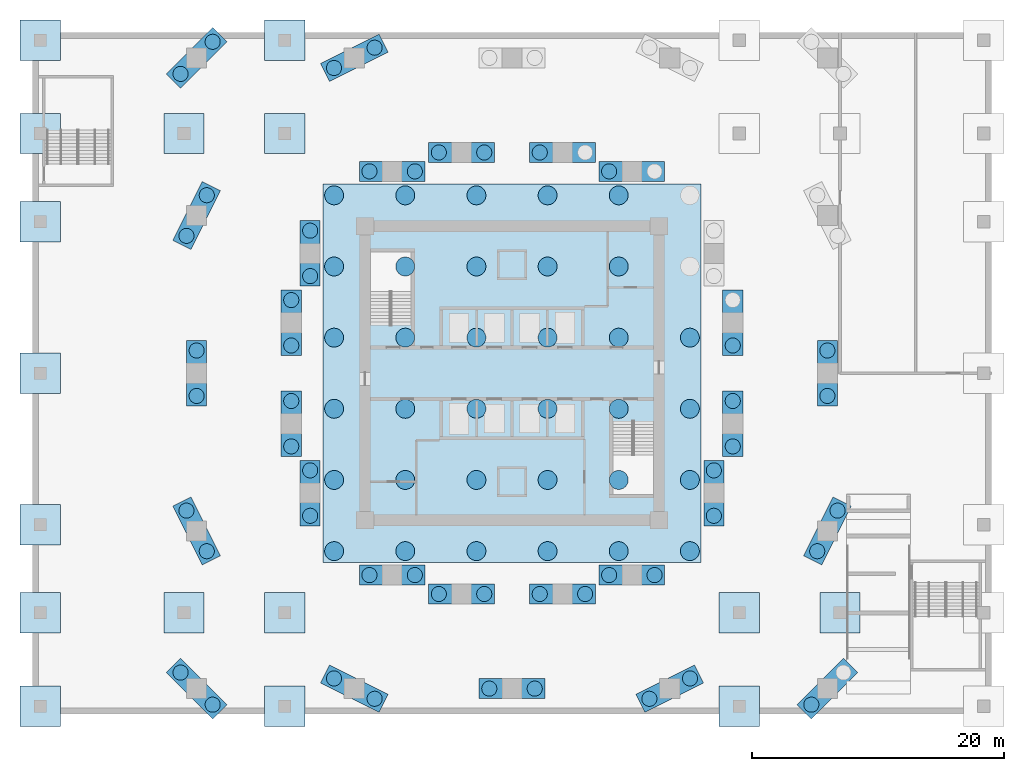
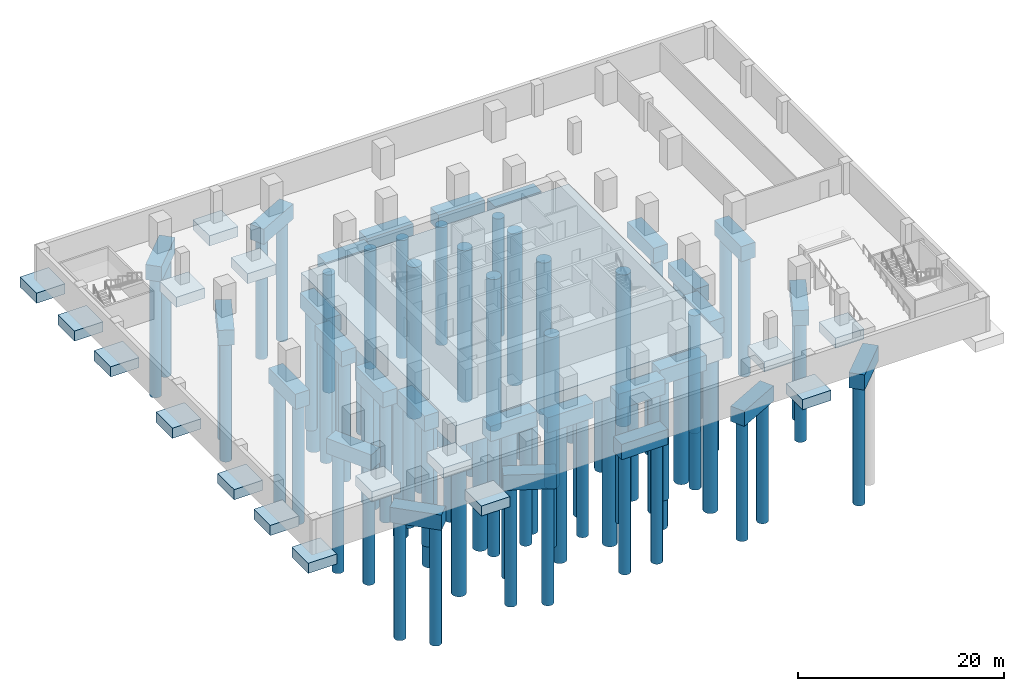
# One storey, part 1 of 11: 84 piles, 44 footings.
"""IFC4 building model written with IfcOpenShell, lengths in metres."""

from ifc_helpers import new_model, si_unit, direction, frame, origin, origin_2d, place, context, subcontext, project, spatial, polyline, circle, outline, extrude, material, layer, layer_set, type_object, element, save


model = new_model("IFC4")

# Units and contexts
model_context = context("Model", 3, precision=1e-05, world=origin(), true_north=direction((0.0, 1.0)))
body_context = subcontext(model_context, "Body", "Model", "MODEL_VIEW")
ifc_project = project(units=[si_unit("LENGTHUNIT", "METRE"), si_unit("AREAUNIT", "SQUARE_METRE"), si_unit("VOLUMEUNIT", "CUBIC_METRE"), si_unit("PLANEANGLEUNIT", "RADIAN"), si_unit("MASSUNIT", "GRAM", prefix="KILO")], contexts=[model_context])

# Site, building, storey
site_placement = place(None, origin())
site = spatial("IfcSite", under=ifc_project, at=site_placement, CompositionType="ELEMENT")
building_placement = place(site_placement, origin())
building = spatial("IfcBuilding", under=site, at=building_placement, Name="Torsade Residences", CompositionType="ELEMENT")
storey_placement = place(building_placement, frame((0.0, 0.0, -7.39990234375)))
storey = spatial("IfcBuildingStorey", under=building, at=storey_placement, Name="B2", CompositionType="ELEMENT", Elevation=-7.39990234375)

# Piles
ifc_material_1 = material(Name="Concrete 50 MPa", Category="concrete")
pile_type_1 = type_object("IfcPileType", Name="BORED PILE 1200", PredefinedType="BORED", material=ifc_material_1)
for number, where, z_axis, x_axis, name in (
    (1, (13.727294921875, 6.272705078125, -2.2001953125), (0.0, 0.0, -1.0), (1.0, 0.0, 0.0), "Cap pile BP2-01-1"),
    (2, (16.272705078125, 3.727294921875, -2.2001953125), (0.0, 0.0, -1.0), (1.0, 0.0, 0.0), "Cap pile BP2-01-2"),
    (3, (25.89013671875, 5.804931640625, -2.2001953125), (0.0, 0.0, -1.0), (1.0, 0.0, 0.0), "Cap pile BP2-02-1"),
    (4, (29.10986328125, 4.195068359375, -2.2001953125), (0.0, 0.0, -1.0), (1.0, 0.0, 0.0), "Cap pile BP2-02-2"),
    (5, (38.199951171875, 5.0, -2.2001953125), (0.0, 0.0, -1.0), (1.0, 0.0, 0.0), "Cap pile BP2-03-1"),
    (6, (41.800048828125, 5.0, -2.2001953125), (0.0, 0.0, -1.0), (1.0, 0.0, 0.0), "Cap pile BP2-03-2"),
    (7, (50.89013671875, 4.195068359375, -2.2001953125), (0.0, 0.0, -1.0), (1.0, 0.0, 0.0), "Cap pile BP2-04-1"),
    (8, (54.10986328125, 5.804931640625, -2.2001953125), (0.0, 0.0, -1.0), (1.0, 0.0, 0.0), "Cap pile BP2-04-2"),
    (9, (63.727294921875, 3.727294921875, -2.2001953125), (0.0, 0.0, -1.0), (1.0, 0.0, 0.0), "Cap pile BP2-05-1"),
    (10, (64.195068359375, 15.89013671875, -2.2001953125), (0.0, 0.0, -1.0), (1.0, 0.0, 0.0), "Cap pile BP2-06-1"),
    (11, (65.804931640625, 19.10986328125, -2.2001953125), (0.0, 0.0, -1.0), (1.0, 0.0, 0.0), "Cap pile BP2-06-2"),
    (12, (65.0, 28.199951171875, -2.2001953125), (0.0, 0.0, -1.0), (1.0, 0.0, 0.0), "Cap pile BP2-07-1"),
    (13, (65.0, 31.800048828125, -2.2001953125), (0.0, 0.0, -1.0), (1.0, 0.0, 0.0), "Cap pile BP2-07-2"),
    (14, (29.10986328125, 55.804931640625, -2.2001953125), (0.0, 0.0, -1.0), (1.0, 0.0, 0.0), "Cap pile BP2-12-1"),
    (15, (25.89013671875, 54.195068359375, -2.2001953125), (0.0, 0.0, -1.0), (1.0, 0.0, 0.0), "Cap pile BP2-12-2"),
    (16, (16.272705078125, 56.272705078125, -2.2001953125), (0.0, 0.0, -1.0), (1.0, 0.0, 0.0), "Cap pile BP2-13-1"),
    (17, (13.727294921875, 53.727294921875, -2.2001953125), (0.0, 0.0, -1.0), (1.0, 0.0, 0.0), "Cap pile BP2-13-2"),
    (18, (15.804931640625, 44.10986328125, -2.2001953125), (0.0, 0.0, -1.0), (1.0, 0.0, 0.0), "Cap pile BP2-14-1"),
    (19, (14.195068359375, 40.89013671875, -2.2001953125), (0.0, 0.0, -1.0), (1.0, 0.0, 0.0), "Cap pile BP2-14-2"),
    (20, (15.0, 31.800048828125, -2.2001953125), (0.0, 0.0, -1.0), (1.0, 0.0, 0.0), "Cap pile BP2-15-1"),
    (21, (15.0, 28.199951171875, -2.2001953125), (0.0, 0.0, -1.0), (1.0, 0.0, 0.0), "Cap pile BP2-15-2"),
    (22, (14.195068359375, 19.10986328125, -2.2001953125), (0.0, 0.0, -1.0), (1.0, 0.0, 0.0), "Cap pile BP2-16-1"),
    (23, (15.804931640625, 15.89013671875, -2.2001953125), (0.0, 0.0, -1.0), (1.0, 0.0, 0.0), "Cap pile BP2-16-2"),
    (24, (57.5, 24.199951171875, -2.2001953125), (0.0, 0.0, -1.0), (1.0, 0.0, 0.0), "Cap pile BP2-IR01-1"),
    (25, (57.5, 27.800048828125, -2.2001953125), (0.0, 0.0, -1.0), (1.0, 0.0, 0.0), "Cap pile BP2-IR01-2"),
    (26, (57.5, 32.199951171875, -2.2001953125), (0.0, 0.0, -1.0), (1.0, 0.0, 0.0), "Cap pile BP2-IR02-1"),
    (27, (47.699951171875, 46.0, -2.2001953125), (0.0, 0.0, -1.0), (1.0, 0.0, 0.0), "Cap pile BP2-IR04-1"),
    (28, (42.199951171875, 47.5, -2.2001953125), (0.0, 0.0, -1.0), (1.0, 0.0, 0.0), "Cap pile BP2-IR05-1"),
    (29, (34.199951171875, 47.5, -2.2001953125), (0.0, 0.0, -1.0), (1.0, 0.0, 0.0), "Cap pile BP2-IR06-1"),
    (30, (37.800048828125, 47.5, -2.2001953125), (0.0, 0.0, -1.0), (1.0, 0.0, 0.0), "Cap pile BP2-IR06-2"),
    (31, (28.699951171875, 46.0, -2.2001953125), (0.0, 0.0, -1.0), (1.0, 0.0, 0.0), "Cap pile BP2-IR07-1"),
    (32, (32.300048828125, 46.0, -2.2001953125), (0.0, 0.0, -1.0), (1.0, 0.0, 0.0), "Cap pile BP2-IR07-2"),
    (33, (24.0, 37.699951171875, -2.2001953125), (0.0, 0.0, -1.0), (1.0, 0.0, 0.0), "Cap pile BP2-IR08-1"),
    (34, (24.0, 41.300048828125, -2.2001953125), (0.0, 0.0, -1.0), (1.0, 0.0, 0.0), "Cap pile BP2-IR08-2"),
    (35, (22.5, 32.199951171875, -2.2001953125), (0.0, 0.0, -1.0), (1.0, 0.0, 0.0), "Cap pile BP2-IR09-1"),
    (36, (22.5, 35.800048828125, -2.2001953125), (0.0, 0.0, -1.0), (1.0, 0.0, 0.0), "Cap pile BP2-IR09-2"),
    (37, (22.5, 24.199951171875, -2.2001953125), (0.0, 0.0, -1.0), (1.0, 0.0, 0.0), "Cap pile BP2-IR10-1"),
    (38, (22.5, 27.800048828125, -2.2001953125), (0.0, 0.0, -1.0), (1.0, 0.0, 0.0), "Cap pile BP2-IR10-2"),
    (39, (24.0, 18.699951171875, -2.2001953125), (0.0, 0.0, -1.0), (1.0, 0.0, 0.0), "Cap pile BP2-IR11-1"),
    (40, (24.0, 22.300048828125, -2.2001953125), (0.0, 0.0, -1.0), (1.0, 0.0, 0.0), "Cap pile BP2-IR11-2"),
    (41, (28.699951171875, 14.0, -2.2001953125), (0.0, 0.0, -1.0), (1.0, 0.0, 0.0), "Cap pile BP2-IR12-1"),
    (42, (32.300048828125, 14.0, -2.2001953125), (0.0, 0.0, -1.0), (1.0, 0.0, 0.0), "Cap pile BP2-IR12-2"),
    (43, (34.199951171875, 12.5, -2.2001953125), (0.0, 0.0, -1.0), (1.0, 0.0, 0.0), "Cap pile BP2-IR13-1"),
    (44, (37.800048828125, 12.5, -2.2001953125), (0.0, 0.0, -1.0), (1.0, 0.0, 0.0), "Cap pile BP2-IR13-2"),
    (45, (42.199951171875, 12.5, -2.2001953125), (0.0, 0.0, -1.0), (1.0, 0.0, 0.0), "Cap pile BP2-IR14-1"),
    (46, (45.800048828125, 12.5, -2.2001953125), (0.0, 0.0, -1.0), (1.0, 0.0, 0.0), "Cap pile BP2-IR14-2"),
    (47, (47.699951171875, 14.0, -2.2001953125), (0.0, 0.0, -1.0), (1.0, 0.0, 0.0), "Cap pile BP2-IR15-1"),
    (48, (51.300048828125, 14.0, -2.2001953125), (0.0, 0.0, -1.0), (1.0, 0.0, 0.0), "Cap pile BP2-IR15-2"),
    (49, (56.0, 18.699951171875, -2.2001953125), (0.0, 0.0, -1.0), (1.0, 0.0, 0.0), "Cap pile BP2-IR16-1"),
    (50, (56.0, 22.300048828125, -2.2001953125), (0.0, 0.0, -1.0), (1.0, 0.0, 0.0), "Cap pile BP2-IR16-2"),
):
    element("IfcPile", number, at=place(storey_placement, frame(where, z_axis=z_axis, x_axis=x_axis)), inside=storey, type_object=pile_type_1, Name=name, PredefinedType="BORED", context=body_context, shape_type="SweptSolid", body=[
        extrude(circle(Radius=0.60009765625, at=origin_2d()), origin(), (0.0, 0.0, 1.0), 14.0),
    ])
ifc_material_2 = material(Name="Concrete 50 MPa", Category="concrete")
pile_type_2 = type_object("IfcPileType", Name="BORED PILE 1500", PredefinedType="BORED", material=ifc_material_2)
for number, where, z_axis, x_axis, name in (
    (51, (25.89990234375, 15.89990234375, -3.0), (0.0, 0.0, -1.0), (1.0, 0.0, 0.0), "Raft pile BP1-01"),
    (52, (25.89990234375, 21.5400390625, -3.0), (0.0, 0.0, -1.0), (1.0, 0.0, 0.0), "Raft pile BP1-02"),
    (53, (25.89990234375, 27.179931640625, -3.0), (0.0, 0.0, -1.0), (1.0, 0.0, 0.0), "Raft pile BP1-03"),
    (54, (25.89990234375, 32.820068359375, -3.0), (0.0, 0.0, -1.0), (1.0, 0.0, 0.0), "Raft pile BP1-04"),
    (55, (25.89990234375, 38.4599609375, -3.0), (0.0, 0.0, -1.0), (1.0, 0.0, 0.0), "Raft pile BP1-05"),
    (56, (25.89990234375, 44.10009765625, -3.0), (0.0, 0.0, -1.0), (1.0, 0.0, 0.0), "Raft pile BP1-06"),
    (57, (31.5400390625, 15.89990234375, -3.0), (0.0, 0.0, -1.0), (1.0, 0.0, 0.0), "Raft pile BP1-07"),
    (58, (31.5400390625, 21.5400390625, -3.0), (0.0, 0.0, -1.0), (1.0, 0.0, 0.0), "Raft pile BP1-08"),
    (59, (31.5400390625, 27.179931640625, -3.0), (0.0, 0.0, -1.0), (1.0, 0.0, 0.0), "Raft pile BP1-09"),
    (60, (31.5400390625, 32.820068359375, -3.0), (0.0, 0.0, -1.0), (1.0, 0.0, 0.0), "Raft pile BP1-10"),
    (61, (31.5400390625, 38.4599609375, -3.0), (0.0, 0.0, -1.0), (1.0, 0.0, 0.0), "Raft pile BP1-11"),
    (62, (31.5400390625, 44.10009765625, -3.0), (0.0, 0.0, -1.0), (1.0, 0.0, 0.0), "Raft pile BP1-12"),
    (63, (37.179931640625, 15.89990234375, -3.0), (0.0, 0.0, -1.0), (1.0, 0.0, 0.0), "Raft pile BP1-13"),
    (64, (37.179931640625, 21.5400390625, -3.0), (0.0, 0.0, -1.0), (1.0, 0.0, 0.0), "Raft pile BP1-14"),
    (65, (37.179931640625, 27.179931640625, -3.0), (0.0, 0.0, -1.0), (1.0, 0.0, 0.0), "Raft pile BP1-15"),
    (66, (37.179931640625, 32.820068359375, -3.0), (0.0, 0.0, -1.0), (1.0, 0.0, 0.0), "Raft pile BP1-16"),
    (67, (37.179931640625, 38.4599609375, -3.0), (0.0, 0.0, -1.0), (1.0, 0.0, 0.0), "Raft pile BP1-17"),
    (68, (37.179931640625, 44.10009765625, -3.0), (0.0, 0.0, -1.0), (1.0, 0.0, 0.0), "Raft pile BP1-18"),
    (69, (42.820068359375, 15.89990234375, -3.0), (0.0, 0.0, -1.0), (1.0, 0.0, 0.0), "Raft pile BP1-19"),
    (70, (42.820068359375, 21.5400390625, -3.0), (0.0, 0.0, -1.0), (1.0, 0.0, 0.0), "Raft pile BP1-20"),
    (71, (42.820068359375, 27.179931640625, -3.0), (0.0, 0.0, -1.0), (1.0, 0.0, 0.0), "Raft pile BP1-21"),
    (72, (42.820068359375, 32.820068359375, -3.0), (0.0, 0.0, -1.0), (1.0, 0.0, 0.0), "Raft pile BP1-22"),
    (73, (42.820068359375, 38.4599609375, -3.0), (0.0, 0.0, -1.0), (1.0, 0.0, 0.0), "Raft pile BP1-23"),
    (74, (42.820068359375, 44.10009765625, -3.0), (0.0, 0.0, -1.0), (1.0, 0.0, 0.0), "Raft pile BP1-24"),
    (75, (48.4599609375, 15.89990234375, -3.0), (0.0, 0.0, -1.0), (1.0, 0.0, 0.0), "Raft pile BP1-25"),
    (76, (48.4599609375, 21.5400390625, -3.0), (0.0, 0.0, -1.0), (1.0, 0.0, 0.0), "Raft pile BP1-26"),
    (77, (48.4599609375, 27.179931640625, -3.0), (0.0, 0.0, -1.0), (1.0, 0.0, 0.0), "Raft pile BP1-27"),
    (78, (48.4599609375, 32.820068359375, -3.0), (0.0, 0.0, -1.0), (1.0, 0.0, 0.0), "Raft pile BP1-28"),
    (79, (48.4599609375, 38.4599609375, -3.0), (0.0, 0.0, -1.0), (1.0, 0.0, 0.0), "Raft pile BP1-29"),
    (80, (48.4599609375, 44.10009765625, -3.0), (0.0, 0.0, -1.0), (1.0, 0.0, 0.0), "Raft pile BP1-30"),
    (81, (54.10009765625, 15.89990234375, -3.0), (0.0, 0.0, -1.0), (1.0, 0.0, 0.0), "Raft pile BP1-31"),
    (82, (54.10009765625, 21.5400390625, -3.0), (0.0, 0.0, -1.0), (1.0, 0.0, 0.0), "Raft pile BP1-32"),
    (83, (54.10009765625, 27.179931640625, -3.0), (0.0, 0.0, -1.0), (1.0, 0.0, 0.0), "Raft pile BP1-33"),
    (84, (54.10009765625, 32.820068359375, -3.0), (0.0, 0.0, -1.0), (1.0, 0.0, 0.0), "Raft pile BP1-34"),
):
    element("IfcPile", number, at=place(storey_placement, frame(where, z_axis=z_axis, x_axis=x_axis)), inside=storey, type_object=pile_type_2, Name=name, PredefinedType="BORED", context=body_context, shape_type="SweptSolid", body=[
        extrude(circle(Radius=0.75, at=origin_2d()), origin(), (0.0, 0.0, 1.0), 18.0),
    ])

# Footings
ifc_material_3 = material(Name="Concrete 50 MPa", Category="concrete")
ifc_layer_1 = layer(ifc_material_3, 1.800048828125)
ifc_layer_set_1 = layer_set([ifc_layer_1], Name="Concrete 50 MPa")
footing_type_1 = type_object("IfcFootingType", Name="COLUMN PILE CAP 1800", PredefinedType="PILE_CAP", material=ifc_layer_set_1)
footing_1_placement = place(storey_placement, frame((0.0, 0.0, -2.2001953125)))
element("IfcFooting", 85, at=footing_1_placement, inside=storey, type_object=footing_type_1, Name="Column pile cap PC2-01", PredefinedType="PILE_CAP", context=body_context, shape_type="SweptSolid", body=[
    extrude(outline(polyline([(12.595947265625, 6.272705078125), (16.272705078125, 2.595947265625), (17.404052734375, 3.727294921875), (13.727294921875, 7.404052734375), (12.595947265625, 6.272705078125)])), origin(), (0.0, 0.0, 1.0), 1.800048828125),
])
footing_2_placement = place(storey_placement, frame((0.0, 0.0, -2.2001953125)))
element("IfcFooting", 86, at=footing_2_placement, inside=storey, type_object=footing_type_1, Name="Column pile cap PC2-02", PredefinedType="PILE_CAP", context=body_context, shape_type="SweptSolid", body=[
    extrude(outline(polyline([(24.816650390625, 5.447265625), (29.4677734375, 3.12158203125), (30.183349609375, 4.552734375), (25.5322265625, 6.87841796875), (24.816650390625, 5.447265625)])), origin(), (0.0, 0.0, 1.0), 1.800048828125),
])
footing_3_placement = place(storey_placement, frame((0.0, 0.0, -2.2001953125)))
element("IfcFooting", 87, at=footing_3_placement, inside=storey, type_object=footing_type_1, Name="Column pile cap PC2-03", PredefinedType="PILE_CAP", context=body_context, shape_type="SweptSolid", body=[
    extrude(outline(polyline([(37.39990234375, 4.199951171875), (42.60009765625, 4.199951171875), (42.60009765625, 5.800048828125), (37.39990234375, 5.800048828125), (37.39990234375, 4.199951171875)])), origin(), (0.0, 0.0, 1.0), 1.800048828125),
])
footing_4_placement = place(storey_placement, frame((0.0, 0.0, -2.2001953125)))
element("IfcFooting", 88, at=footing_4_placement, inside=storey, type_object=footing_type_1, Name="Column pile cap PC2-04", PredefinedType="PILE_CAP", context=body_context, shape_type="SweptSolid", body=[
    extrude(outline(polyline([(50.5322265625, 3.12158203125), (55.183349609375, 5.447265625), (54.4677734375, 6.87841796875), (49.816650390625, 4.552734375), (50.5322265625, 3.12158203125)])), origin(), (0.0, 0.0, 1.0), 1.800048828125),
])
footing_5_placement = place(storey_placement, frame((0.0, 0.0, -2.2001953125)))
element("IfcFooting", 89, at=footing_5_placement, inside=storey, type_object=footing_type_1, Name="Column pile cap PC2-05", PredefinedType="PILE_CAP", context=body_context, shape_type="SweptSolid", body=[
    extrude(outline(polyline([(63.727294921875, 2.595947265625), (67.404052734375, 6.272705078125), (66.272705078125, 7.404052734375), (62.595947265625, 3.727294921875), (63.727294921875, 2.595947265625)])), origin(), (0.0, 0.0, 1.0), 1.800048828125),
])
footing_6_placement = place(storey_placement, frame((0.0, 0.0, -2.2001953125)))
element("IfcFooting", 90, at=footing_6_placement, inside=storey, type_object=footing_type_1, Name="Column pile cap PC2-06", PredefinedType="PILE_CAP", context=body_context, shape_type="SweptSolid", body=[
    extrude(outline(polyline([(64.552734375, 14.816650390625), (66.87841796875, 19.4677734375), (65.447265625, 20.183349609375), (63.12158203125, 15.5322265625), (64.552734375, 14.816650390625)])), origin(), (0.0, 0.0, 1.0), 1.800048828125),
])
footing_7_placement = place(storey_placement, frame((0.0, 0.0, -2.2001953125)))
element("IfcFooting", 91, at=footing_7_placement, inside=storey, type_object=footing_type_1, Name="Column pile cap PC2-07", PredefinedType="PILE_CAP", context=body_context, shape_type="SweptSolid", body=[
    extrude(outline(polyline([(65.800048828125, 27.39990234375), (65.800048828125, 32.60009765625), (64.199951171875, 32.60009765625), (64.199951171875, 27.39990234375), (65.800048828125, 27.39990234375)])), origin(), (0.0, 0.0, 1.0), 1.800048828125),
])
footing_8_placement = place(storey_placement, frame((0.0, 0.0, -2.2001953125)))
element("IfcFooting", 92, at=footing_8_placement, inside=storey, type_object=footing_type_1, Name="Column pile cap PC2-12", PredefinedType="PILE_CAP", context=body_context, shape_type="SweptSolid", body=[
    extrude(outline(polyline([(29.4677734375, 56.87841796875), (24.816650390625, 54.552734375), (25.5322265625, 53.12158203125), (30.183349609375, 55.447265625), (29.4677734375, 56.87841796875)])), origin(), (0.0, 0.0, 1.0), 1.800048828125),
])
footing_9_placement = place(storey_placement, frame((0.0, 0.0, -2.2001953125)))
element("IfcFooting", 93, at=footing_9_placement, inside=storey, type_object=footing_type_1, Name="Column pile cap PC2-13", PredefinedType="PILE_CAP", context=body_context, shape_type="SweptSolid", body=[
    extrude(outline(polyline([(16.272705078125, 57.404052734375), (12.595947265625, 53.727294921875), (13.727294921875, 52.595947265625), (17.404052734375, 56.272705078125), (16.272705078125, 57.404052734375)])), origin(), (0.0, 0.0, 1.0), 1.800048828125),
])
footing_10_placement = place(storey_placement, frame((0.0, 0.0, -2.2001953125)))
element("IfcFooting", 94, at=footing_10_placement, inside=storey, type_object=footing_type_1, Name="Column pile cap PC2-14", PredefinedType="PILE_CAP", context=body_context, shape_type="SweptSolid", body=[
    extrude(outline(polyline([(15.447265625, 45.183349609375), (13.12158203125, 40.5322265625), (14.552734375, 39.816650390625), (16.87841796875, 44.4677734375), (15.447265625, 45.183349609375)])), origin(), (0.0, 0.0, 1.0), 1.800048828125),
])
footing_11_placement = place(storey_placement, frame((0.0, 0.0, -2.2001953125)))
element("IfcFooting", 95, at=footing_11_placement, inside=storey, type_object=footing_type_1, Name="Column pile cap PC2-15", PredefinedType="PILE_CAP", context=body_context, shape_type="SweptSolid", body=[
    extrude(outline(polyline([(14.199951171875, 32.60009765625), (14.199951171875, 27.39990234375), (15.800048828125, 27.39990234375), (15.800048828125, 32.60009765625), (14.199951171875, 32.60009765625)])), origin(), (0.0, 0.0, 1.0), 1.800048828125),
])
footing_12_placement = place(storey_placement, frame((0.0, 0.0, -2.2001953125)))
element("IfcFooting", 96, at=footing_12_placement, inside=storey, type_object=footing_type_1, Name="Column pile cap PC2-16", PredefinedType="PILE_CAP", context=body_context, shape_type="SweptSolid", body=[
    extrude(outline(polyline([(13.12158203125, 19.4677734375), (15.447265625, 14.816650390625), (16.87841796875, 15.5322265625), (14.552734375, 20.183349609375), (13.12158203125, 19.4677734375)])), origin(), (0.0, 0.0, 1.0), 1.800048828125),
])
footing_13_placement = place(storey_placement, frame((0.0, 0.0, -2.2001953125)))
element("IfcFooting", 97, at=footing_13_placement, inside=storey, type_object=footing_type_1, Name="Inner ring column pile cap PC2-IR01", PredefinedType="PILE_CAP", context=body_context, shape_type="SweptSolid", body=[
    extrude(outline(polyline([(56.699951171875, 23.39990234375), (58.300048828125, 23.39990234375), (58.300048828125, 28.60009765625), (56.699951171875, 28.60009765625), (56.699951171875, 23.39990234375)])), origin(), (0.0, 0.0, 1.0), 1.800048828125),
])
footing_14_placement = place(storey_placement, frame((0.0, 0.0, -2.2001953125)))
element("IfcFooting", 98, at=footing_14_placement, inside=storey, type_object=footing_type_1, Name="Inner ring column pile cap PC2-IR02", PredefinedType="PILE_CAP", context=body_context, shape_type="SweptSolid", body=[
    extrude(outline(polyline([(56.699951171875, 31.39990234375), (58.300048828125, 31.39990234375), (58.300048828125, 36.60009765625), (56.699951171875, 36.60009765625), (56.699951171875, 31.39990234375)])), origin(), (0.0, 0.0, 1.0), 1.800048828125),
])
footing_15_placement = place(storey_placement, frame((0.0, 0.0, -2.2001953125)))
element("IfcFooting", 99, at=footing_15_placement, inside=storey, type_object=footing_type_1, Name="Inner ring column pile cap PC2-IR04", PredefinedType="PILE_CAP", context=body_context, shape_type="SweptSolid", body=[
    extrude(outline(polyline([(46.89990234375, 45.199951171875), (52.10009765625, 45.199951171875), (52.10009765625, 46.800048828125), (46.89990234375, 46.800048828125), (46.89990234375, 45.199951171875)])), origin(), (0.0, 0.0, 1.0), 1.800048828125),
])
footing_16_placement = place(storey_placement, frame((0.0, 0.0, -2.2001953125)))
element("IfcFooting", 100, at=footing_16_placement, inside=storey, type_object=footing_type_1, Name="Inner ring column pile cap PC2-IR05", PredefinedType="PILE_CAP", context=body_context, shape_type="SweptSolid", body=[
    extrude(outline(polyline([(41.39990234375, 46.699951171875), (46.60009765625, 46.699951171875), (46.60009765625, 48.300048828125), (41.39990234375, 48.300048828125), (41.39990234375, 46.699951171875)])), origin(), (0.0, 0.0, 1.0), 1.800048828125),
])
footing_17_placement = place(storey_placement, frame((0.0, 0.0, -2.2001953125)))
element("IfcFooting", 101, at=footing_17_placement, inside=storey, type_object=footing_type_1, Name="Inner ring column pile cap PC2-IR06", PredefinedType="PILE_CAP", context=body_context, shape_type="SweptSolid", body=[
    extrude(outline(polyline([(33.39990234375, 46.699951171875), (38.60009765625, 46.699951171875), (38.60009765625, 48.300048828125), (33.39990234375, 48.300048828125), (33.39990234375, 46.699951171875)])), origin(), (0.0, 0.0, 1.0), 1.800048828125),
])
footing_18_placement = place(storey_placement, frame((0.0, 0.0, -2.2001953125)))
element("IfcFooting", 102, at=footing_18_placement, inside=storey, type_object=footing_type_1, Name="Inner ring column pile cap PC2-IR07", PredefinedType="PILE_CAP", context=body_context, shape_type="SweptSolid", body=[
    extrude(outline(polyline([(27.89990234375, 45.199951171875), (33.10009765625, 45.199951171875), (33.10009765625, 46.800048828125), (27.89990234375, 46.800048828125), (27.89990234375, 45.199951171875)])), origin(), (0.0, 0.0, 1.0), 1.800048828125),
])
footing_19_placement = place(storey_placement, frame((0.0, 0.0, -2.2001953125)))
element("IfcFooting", 103, at=footing_19_placement, inside=storey, type_object=footing_type_1, Name="Inner ring column pile cap PC2-IR08", PredefinedType="PILE_CAP", context=body_context, shape_type="SweptSolid", body=[
    extrude(outline(polyline([(23.199951171875, 36.89990234375), (24.800048828125, 36.89990234375), (24.800048828125, 42.10009765625), (23.199951171875, 42.10009765625), (23.199951171875, 36.89990234375)])), origin(), (0.0, 0.0, 1.0), 1.800048828125),
])
footing_20_placement = place(storey_placement, frame((0.0, 0.0, -2.2001953125)))
element("IfcFooting", 104, at=footing_20_placement, inside=storey, type_object=footing_type_1, Name="Inner ring column pile cap PC2-IR09", PredefinedType="PILE_CAP", context=body_context, shape_type="SweptSolid", body=[
    extrude(outline(polyline([(21.699951171875, 31.39990234375), (23.300048828125, 31.39990234375), (23.300048828125, 36.60009765625), (21.699951171875, 36.60009765625), (21.699951171875, 31.39990234375)])), origin(), (0.0, 0.0, 1.0), 1.800048828125),
])
footing_21_placement = place(storey_placement, frame((0.0, 0.0, -2.2001953125)))
element("IfcFooting", 105, at=footing_21_placement, inside=storey, type_object=footing_type_1, Name="Inner ring column pile cap PC2-IR10", PredefinedType="PILE_CAP", context=body_context, shape_type="SweptSolid", body=[
    extrude(outline(polyline([(21.699951171875, 23.39990234375), (23.300048828125, 23.39990234375), (23.300048828125, 28.60009765625), (21.699951171875, 28.60009765625), (21.699951171875, 23.39990234375)])), origin(), (0.0, 0.0, 1.0), 1.800048828125),
])
footing_22_placement = place(storey_placement, frame((0.0, 0.0, -2.2001953125)))
element("IfcFooting", 106, at=footing_22_placement, inside=storey, type_object=footing_type_1, Name="Inner ring column pile cap PC2-IR11", PredefinedType="PILE_CAP", context=body_context, shape_type="SweptSolid", body=[
    extrude(outline(polyline([(23.199951171875, 17.89990234375), (24.800048828125, 17.89990234375), (24.800048828125, 23.10009765625), (23.199951171875, 23.10009765625), (23.199951171875, 17.89990234375)])), origin(), (0.0, 0.0, 1.0), 1.800048828125),
])
footing_23_placement = place(storey_placement, frame((0.0, 0.0, -2.2001953125)))
element("IfcFooting", 107, at=footing_23_placement, inside=storey, type_object=footing_type_1, Name="Inner ring column pile cap PC2-IR12", PredefinedType="PILE_CAP", context=body_context, shape_type="SweptSolid", body=[
    extrude(outline(polyline([(27.89990234375, 13.199951171875), (33.10009765625, 13.199951171875), (33.10009765625, 14.800048828125), (27.89990234375, 14.800048828125), (27.89990234375, 13.199951171875)])), origin(), (0.0, 0.0, 1.0), 1.800048828125),
])
footing_24_placement = place(storey_placement, frame((0.0, 0.0, -2.2001953125)))
element("IfcFooting", 108, at=footing_24_placement, inside=storey, type_object=footing_type_1, Name="Inner ring column pile cap PC2-IR13", PredefinedType="PILE_CAP", context=body_context, shape_type="SweptSolid", body=[
    extrude(outline(polyline([(33.39990234375, 11.699951171875), (38.60009765625, 11.699951171875), (38.60009765625, 13.300048828125), (33.39990234375, 13.300048828125), (33.39990234375, 11.699951171875)])), origin(), (0.0, 0.0, 1.0), 1.800048828125),
])
footing_25_placement = place(storey_placement, frame((0.0, 0.0, -2.2001953125)))
element("IfcFooting", 109, at=footing_25_placement, inside=storey, type_object=footing_type_1, Name="Inner ring column pile cap PC2-IR14", PredefinedType="PILE_CAP", context=body_context, shape_type="SweptSolid", body=[
    extrude(outline(polyline([(41.39990234375, 11.699951171875), (46.60009765625, 11.699951171875), (46.60009765625, 13.300048828125), (41.39990234375, 13.300048828125), (41.39990234375, 11.699951171875)])), origin(), (0.0, 0.0, 1.0), 1.800048828125),
])
footing_26_placement = place(storey_placement, frame((0.0, 0.0, -2.2001953125)))
element("IfcFooting", 110, at=footing_26_placement, inside=storey, type_object=footing_type_1, Name="Inner ring column pile cap PC2-IR15", PredefinedType="PILE_CAP", context=body_context, shape_type="SweptSolid", body=[
    extrude(outline(polyline([(46.89990234375, 13.199951171875), (52.10009765625, 13.199951171875), (52.10009765625, 14.800048828125), (46.89990234375, 14.800048828125), (46.89990234375, 13.199951171875)])), origin(), (0.0, 0.0, 1.0), 1.800048828125),
])
footing_27_placement = place(storey_placement, frame((0.0, 0.0, -2.2001953125)))
element("IfcFooting", 111, at=footing_27_placement, inside=storey, type_object=footing_type_1, Name="Inner ring column pile cap PC2-IR16", PredefinedType="PILE_CAP", context=body_context, shape_type="SweptSolid", body=[
    extrude(outline(polyline([(55.199951171875, 17.89990234375), (56.800048828125, 17.89990234375), (56.800048828125, 23.10009765625), (55.199951171875, 23.10009765625), (55.199951171875, 17.89990234375)])), origin(), (0.0, 0.0, 1.0), 1.800048828125),
])
ifc_material_4 = material(Name="Concrete 50 MPa", Category="concrete")
ifc_layer_2 = layer(ifc_material_4, 2.60009765625)
ifc_layer_set_2 = layer_set([ifc_layer_2], Name="Concrete 50 MPa")
footing_type_2 = type_object("IfcFootingType", Name="CORE PILED RAFT 2600", PredefinedType="PILE_CAP", material=ifc_layer_set_2)
footing_28_placement = place(storey_placement, frame((0.0, 0.0, -3.0)))
element("IfcFooting", 112, at=footing_28_placement, inside=storey, type_object=footing_type_2, Name="Core piled raft PR1", PredefinedType="PILE_CAP", context=body_context, shape_type="SweptSolid", body=[
    extrude(outline(polyline([(25.0, 15.0), (55.0, 15.0), (55.0, 45.0), (25.0, 45.0), (25.0, 15.0)])), origin(), (0.0, 0.0, 1.0), 2.599853515625),
])
ifc_material_5 = material(Name="Concrete 50 MPa", Category="concrete")
ifc_layer_3 = layer(ifc_material_5, 1.199951171875)
ifc_layer_set_3 = layer_set([ifc_layer_3], Name="Concrete 50 MPa")
footing_type_3 = type_object("IfcFootingType", Name="PAD FOOTING 3200 SQ", PredefinedType="PAD_FOOTING", material=ifc_layer_set_3)
footing_29_placement = place(storey_placement, frame((0.0, 0.0, -1.60009765625)))
element("IfcFooting", 113, at=footing_29_placement, inside=storey, type_object=footing_type_3, Name="Pad footing F1 1A", PredefinedType="PAD_FOOTING", context=body_context, shape_type="SweptSolid", body=[
    extrude(outline(polyline([(1.0, 2.0), (4.199951171875, 2.0), (4.199951171875, 5.199951171875), (1.0, 5.199951171875), (1.0, 2.0)])), origin(), (0.0, 0.0, 1.0), 1.199951171875),
])
footing_30_placement = place(storey_placement, frame((0.0, 0.0, -1.60009765625)))
element("IfcFooting", 114, at=footing_30_placement, inside=storey, type_object=footing_type_3, Name="Pad footing F1 1B", PredefinedType="PAD_FOOTING", context=body_context, shape_type="SweptSolid", body=[
    extrude(outline(polyline([(1.0, 9.39990234375), (4.199951171875, 9.39990234375), (4.199951171875, 12.60009765625), (1.0, 12.60009765625), (1.0, 9.39990234375)])), origin(), (0.0, 0.0, 1.0), 1.199951171875),
])
footing_31_placement = place(storey_placement, frame((0.0, 0.0, -1.60009765625)))
element("IfcFooting", 115, at=footing_31_placement, inside=storey, type_object=footing_type_3, Name="Pad footing F1 1C", PredefinedType="PAD_FOOTING", context=body_context, shape_type="SweptSolid", body=[
    extrude(outline(polyline([(1.0, 16.39990234375), (4.199951171875, 16.39990234375), (4.199951171875, 19.60009765625), (1.0, 19.60009765625), (1.0, 16.39990234375)])), origin(), (0.0, 0.0, 1.0), 1.199951171875),
])
footing_32_placement = place(storey_placement, frame((0.0, 0.0, -1.60009765625)))
element("IfcFooting", 116, at=footing_32_placement, inside=storey, type_object=footing_type_3, Name="Pad footing F1 1D", PredefinedType="PAD_FOOTING", context=body_context, shape_type="SweptSolid", body=[
    extrude(outline(polyline([(1.0, 28.39990234375), (4.199951171875, 28.39990234375), (4.199951171875, 31.60009765625), (1.0, 31.60009765625), (1.0, 28.39990234375)])), origin(), (0.0, 0.0, 1.0), 1.199951171875),
])
footing_33_placement = place(storey_placement, frame((0.0, 0.0, -1.60009765625)))
element("IfcFooting", 117, at=footing_33_placement, inside=storey, type_object=footing_type_3, Name="Pad footing F1 1E", PredefinedType="PAD_FOOTING", context=body_context, shape_type="SweptSolid", body=[
    extrude(outline(polyline([(1.0, 40.39990234375), (4.199951171875, 40.39990234375), (4.199951171875, 43.60009765625), (1.0, 43.60009765625), (1.0, 40.39990234375)])), origin(), (0.0, 0.0, 1.0), 1.199951171875),
])
footing_34_placement = place(storey_placement, frame((0.0, 0.0, -1.60009765625)))
element("IfcFooting", 118, at=footing_34_placement, inside=storey, type_object=footing_type_3, Name="Pad footing F1 1F", PredefinedType="PAD_FOOTING", context=body_context, shape_type="SweptSolid", body=[
    extrude(outline(polyline([(1.0, 47.39990234375), (4.199951171875, 47.39990234375), (4.199951171875, 50.60009765625), (1.0, 50.60009765625), (1.0, 47.39990234375)])), origin(), (0.0, 0.0, 1.0), 1.199951171875),
])
footing_35_placement = place(storey_placement, frame((0.0, 0.0, -1.60009765625)))
element("IfcFooting", 119, at=footing_35_placement, inside=storey, type_object=footing_type_3, Name="Pad footing F1 1G", PredefinedType="PAD_FOOTING", context=body_context, shape_type="SweptSolid", body=[
    extrude(outline(polyline([(1.0, 54.800048828125), (4.199951171875, 54.800048828125), (4.199951171875, 58.0), (1.0, 58.0), (1.0, 54.800048828125)])), origin(), (0.0, 0.0, 1.0), 1.199951171875),
])
footing_36_placement = place(storey_placement, frame((0.0, 0.0, -1.60009765625)))
element("IfcFooting", 120, at=footing_36_placement, inside=storey, type_object=footing_type_3, Name="Pad footing F1 2B", PredefinedType="PAD_FOOTING", context=body_context, shape_type="SweptSolid", body=[
    extrude(outline(polyline([(12.39990234375, 9.39990234375), (15.60009765625, 9.39990234375), (15.60009765625, 12.60009765625), (12.39990234375, 12.60009765625), (12.39990234375, 9.39990234375)])), origin(), (0.0, 0.0, 1.0), 1.199951171875),
])
footing_37_placement = place(storey_placement, frame((0.0, 0.0, -1.60009765625)))
element("IfcFooting", 121, at=footing_37_placement, inside=storey, type_object=footing_type_3, Name="Pad footing F1 2F", PredefinedType="PAD_FOOTING", context=body_context, shape_type="SweptSolid", body=[
    extrude(outline(polyline([(12.39990234375, 47.39990234375), (15.60009765625, 47.39990234375), (15.60009765625, 50.60009765625), (12.39990234375, 50.60009765625), (12.39990234375, 47.39990234375)])), origin(), (0.0, 0.0, 1.0), 1.199951171875),
])
footing_38_placement = place(storey_placement, frame((0.0, 0.0, -1.60009765625)))
element("IfcFooting", 122, at=footing_38_placement, inside=storey, type_object=footing_type_3, Name="Pad footing F1 3A", PredefinedType="PAD_FOOTING", context=body_context, shape_type="SweptSolid", body=[
    extrude(outline(polyline([(20.39990234375, 2.0), (23.60009765625, 2.0), (23.60009765625, 5.199951171875), (20.39990234375, 5.199951171875), (20.39990234375, 2.0)])), origin(), (0.0, 0.0, 1.0), 1.199951171875),
])
footing_39_placement = place(storey_placement, frame((0.0, 0.0, -1.60009765625)))
element("IfcFooting", 123, at=footing_39_placement, inside=storey, type_object=footing_type_3, Name="Pad footing F1 3B", PredefinedType="PAD_FOOTING", context=body_context, shape_type="SweptSolid", body=[
    extrude(outline(polyline([(20.39990234375, 9.39990234375), (23.60009765625, 9.39990234375), (23.60009765625, 12.60009765625), (20.39990234375, 12.60009765625), (20.39990234375, 9.39990234375)])), origin(), (0.0, 0.0, 1.0), 1.199951171875),
])
footing_40_placement = place(storey_placement, frame((0.0, 0.0, -1.60009765625)))
element("IfcFooting", 124, at=footing_40_placement, inside=storey, type_object=footing_type_3, Name="Pad footing F1 3F", PredefinedType="PAD_FOOTING", context=body_context, shape_type="SweptSolid", body=[
    extrude(outline(polyline([(20.39990234375, 47.39990234375), (23.60009765625, 47.39990234375), (23.60009765625, 50.60009765625), (20.39990234375, 50.60009765625), (20.39990234375, 47.39990234375)])), origin(), (0.0, 0.0, 1.0), 1.199951171875),
])
footing_41_placement = place(storey_placement, frame((0.0, 0.0, -1.60009765625)))
element("IfcFooting", 125, at=footing_41_placement, inside=storey, type_object=footing_type_3, Name="Pad footing F1 3G", PredefinedType="PAD_FOOTING", context=body_context, shape_type="SweptSolid", body=[
    extrude(outline(polyline([(20.39990234375, 54.800048828125), (23.60009765625, 54.800048828125), (23.60009765625, 58.0), (20.39990234375, 58.0), (20.39990234375, 54.800048828125)])), origin(), (0.0, 0.0, 1.0), 1.199951171875),
])
footing_42_placement = place(storey_placement, frame((0.0, 0.0, -1.60009765625)))
element("IfcFooting", 126, at=footing_42_placement, inside=storey, type_object=footing_type_3, Name="Pad footing F1 7A", PredefinedType="PAD_FOOTING", context=body_context, shape_type="SweptSolid", body=[
    extrude(outline(polyline([(56.39990234375, 2.0), (59.60009765625, 2.0), (59.60009765625, 5.199951171875), (56.39990234375, 5.199951171875), (56.39990234375, 2.0)])), origin(), (0.0, 0.0, 1.0), 1.199951171875),
])
footing_43_placement = place(storey_placement, frame((0.0, 0.0, -1.60009765625)))
element("IfcFooting", 127, at=footing_43_placement, inside=storey, type_object=footing_type_3, Name="Pad footing F1 7B", PredefinedType="PAD_FOOTING", context=body_context, shape_type="SweptSolid", body=[
    extrude(outline(polyline([(56.39990234375, 9.39990234375), (59.60009765625, 9.39990234375), (59.60009765625, 12.60009765625), (56.39990234375, 12.60009765625), (56.39990234375, 9.39990234375)])), origin(), (0.0, 0.0, 1.0), 1.199951171875),
])
footing_44_placement = place(storey_placement, frame((0.0, 0.0, -1.60009765625)))
element("IfcFooting", 128, at=footing_44_placement, inside=storey, type_object=footing_type_3, Name="Pad footing F1 8B", PredefinedType="PAD_FOOTING", context=body_context, shape_type="SweptSolid", body=[
    extrude(outline(polyline([(64.39990234375, 9.39990234375), (67.60009765625, 9.39990234375), (67.60009765625, 12.60009765625), (64.39990234375, 12.60009765625), (64.39990234375, 9.39990234375)])), origin(), (0.0, 0.0, 1.0), 1.199951171875),
])

save(model, "model.ifc")
